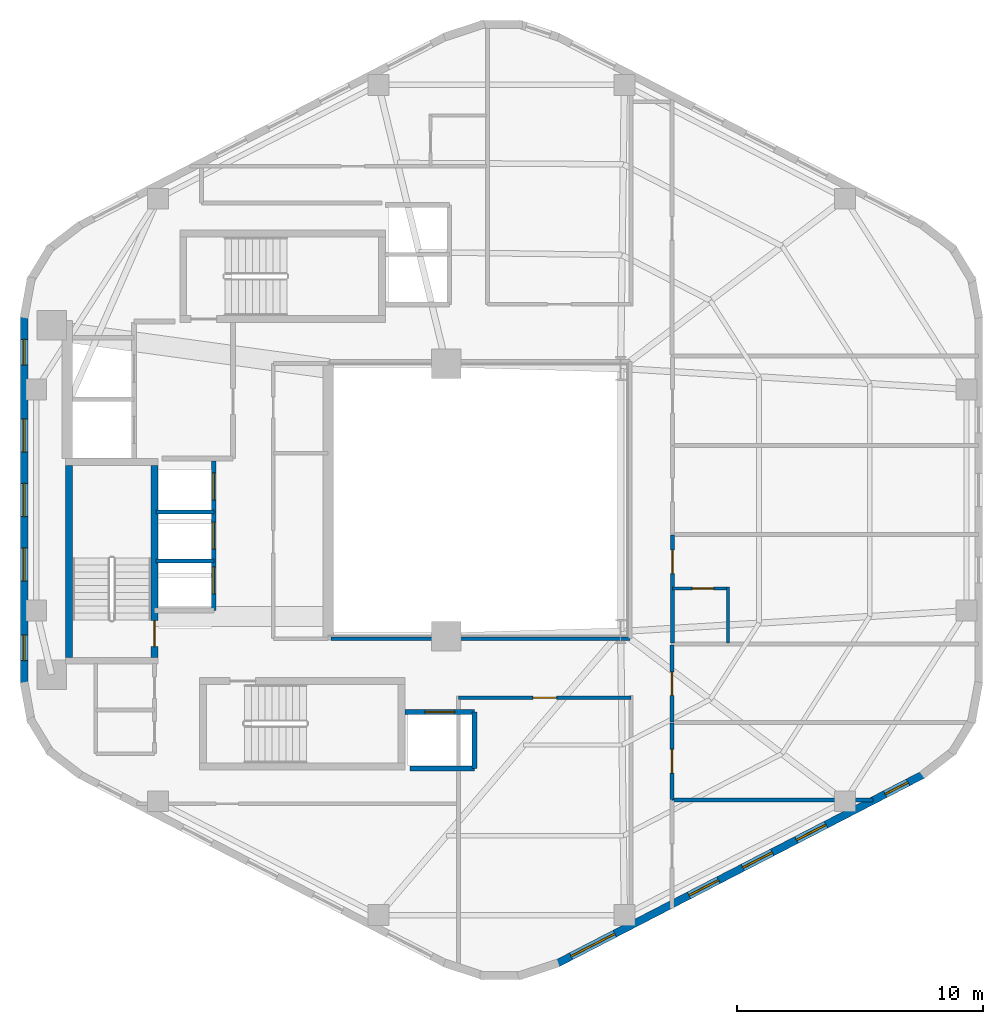
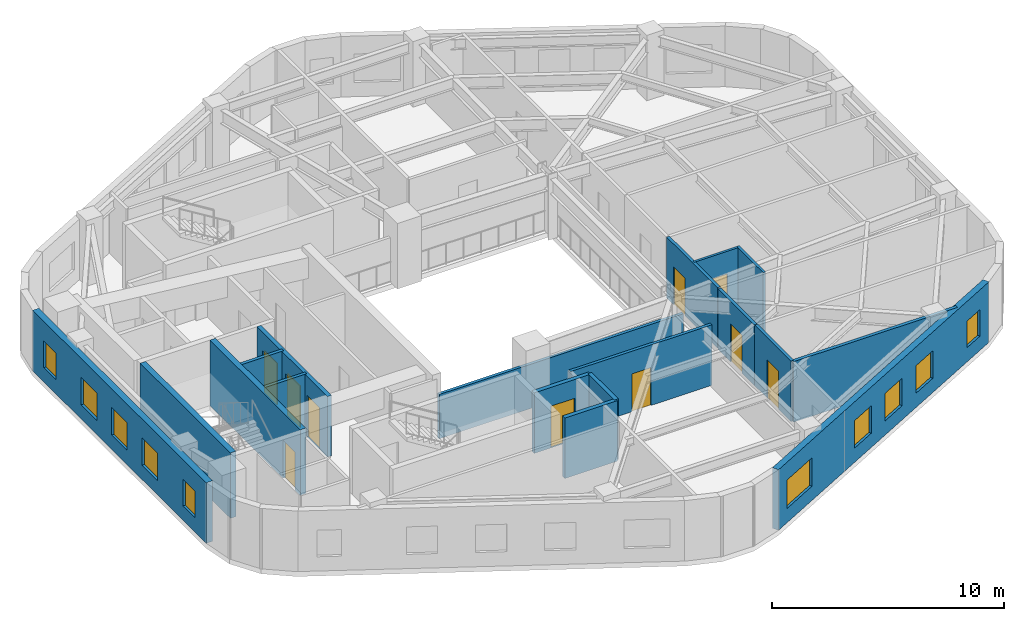
# One storey, part 3 of 7: 18 walls, 10 doors, 10 windows, 20 openings.
"""IFC4 building model written with IfcOpenShell, lengths in metres."""

from ifc_helpers import new_model, si_unit, direction, frame, frame_2d, origin, place, context, subcontext, project, spatial, rectangle, extrude, material, layer, layer_set, type_object, element, fill, save


model = new_model("IFC4")

# Units and contexts
model_context = context("Model", 3, precision=1e-05, world=origin(), true_north=direction((0.0, 1.0)))
body_context = subcontext(model_context, "Body", "Model", "MODEL_VIEW")
ifc_project = project(units=[si_unit("LENGTHUNIT", "METRE"), si_unit("AREAUNIT", "SQUARE_METRE"), si_unit("VOLUMEUNIT", "CUBIC_METRE"), si_unit("PLANEANGLEUNIT", "RADIAN"), si_unit("MASSUNIT", "GRAM", prefix="KILO"), si_unit("THERMODYNAMICTEMPERATUREUNIT", "KELVIN"), si_unit("POWERUNIT", "WATT")], contexts=[model_context])

# Site, building, storey
site_placement = place(None, origin())
site = spatial("IfcSite", under=ifc_project, at=site_placement, CompositionType="ELEMENT")
building_placement = place(site_placement, origin())
building = spatial("IfcBuilding", under=site, at=building_placement, Name="Skarre Station Tower", CompositionType="ELEMENT")
storey_placement = place(building_placement, frame((0.0, 0.0, 196.449951171875)))
storey = spatial("IfcBuildingStorey", under=building, at=storey_placement, Name="L53", CompositionType="ELEMENT", Elevation=196.449951171875)

# Wall
ifc_material_1 = material(Name="Acoustic Steel-Stud Gypsum Partition", Category="steel")
ifc_layer_1 = layer(ifc_material_1, 0.14990234375, Name="Acoustic Steel-Stud Gypsum Partition")
ifc_layer_set_1 = layer_set([ifc_layer_1], Name="Acoustic Steel-Stud Gypsum Partition")
wall_type_1 = type_object("IfcWallType", Name="Fire-Rated Corridor Acoustic Partition 150", PredefinedType="PARTITIONING", material=ifc_layer_set_1)
wall_1_placement = place(storey_placement, frame((27.675048828125, 18.360107421875, 0.0), z_axis=(0.0, 0.0, 1.0), x_axis=(1.0, 0.0, 0.0)))
element("IfcWall", 1, at=wall_1_placement, inside=storey, type_object=wall_type_1, Name="L53 Interior Partition WL-PT-L53-ATRW-S", PredefinedType="PARTITIONING", context=body_context, shape_type="SweptSolid", body=[
    extrude(rectangle(XDim=12.1650390625, YDim=0.14990234375, at=frame_2d((6.08251953125, 0.0))), origin(), (0.0, 0.0, 1.0), 2.3310546875),
])

# Wall, opening, door
wall_2_placement = place(storey_placement, frame((41.56005859375, 18.179931640625, 0.0), z_axis=(0.0, 0.0, 1.0), x_axis=(0.0, 1.0, 0.0)))
wall_2 = element("IfcWall", 2, at=wall_2_placement, inside=storey, type_object=wall_type_1, Name="L53 Interior Partition WL-PT-L53-EW1-CW", PredefinedType="PARTITIONING", context=body_context, shape_type="SweptSolid", body=[
    extrude(rectangle(XDim=4.405029296875, YDim=0.14990234375, at=frame_2d((2.20263671875, 0.0))), origin(), (0.0, 0.0, 1.0), 3.18994140625),
])
opening_1_placement = place(wall_2_placement, frame((2.822998046875, 0.0, 0.0)))
opening_1 = element("IfcOpeningElement", 3, at=opening_1_placement, cuts=wall_2, Name="Opening DR-FD60", PredefinedType="OPENING", context=body_context, shape_type="SweptSolid", body=[
    extrude(rectangle(XDim=0.9599609375, YDim=2.0, at=frame_2d((0.47998046875, 1.0))), frame((0.0, 0.0849609375, 0.0), z_axis=(0.0, -1.0, 0.0), x_axis=(1.0, 0.0, 0.0)), (0.0, 0.0, 1.0), 0.169921875),
])
ifc_material_2 = material(Name="Nordic White-Oak Veneer Solid-Core Fire Leaf", Category="wood")
door_type_1 = type_object("IfcDoorType", Name="Corridor Suite Entry Fire Door FD60 960x2150", OperationType="SINGLE_SWING_LEFT", PredefinedType="DOOR", material=ifc_material_2)
door_1_placement = place(opening_1_placement, origin())
door_1 = element("IfcDoor", 4, at=door_1_placement, inside=storey, type_object=door_type_1, Name="L53 EW1 Entry Door", OperationType="SINGLE_SWING_LEFT", OverallHeight=2.0, OverallWidth=0.9599609375, PredefinedType="DOOR", context=body_context, shape_type="SweptSolid", body=[
    extrude(rectangle(XDim=0.9599609375, YDim=2.0, at=frame_2d((0.47998046875, 1.0))), frame((0.0, 0.02490234375, 0.0), z_axis=(0.0, -1.0, 0.0), x_axis=(1.0, 0.0, 0.0)), (0.0, 0.0, 1.0), 0.050048828125),
])
fill(opening_1, door_1)

wall_3_placement = place(storey_placement, frame((32.85009765625, 15.9599609375, 0.0), z_axis=(0.0, 0.0, 1.0), x_axis=(1.0, 0.0, 0.0)))
wall_3 = element("IfcWall", 5, at=wall_3_placement, inside=storey, type_object=wall_type_1, Name="L53 Interior Partition WL-PT-L53-SWC1-CW", PredefinedType="PARTITIONING", context=body_context, shape_type="SweptSolid", body=[
    extrude(rectangle(XDim=7.02978515625, YDim=0.14990234375, at=frame_2d((3.514892578125, 0.0))), origin(), (0.0, 0.0, 1.0), 3.18994140625),
])
opening_2_placement = place(wall_3_placement, frame((3.034912109375, 0.0, 0.0)))
opening_2 = element("IfcOpeningElement", 6, at=opening_2_placement, cuts=wall_3, Name="Opening DR-FD60", PredefinedType="OPENING", context=body_context, shape_type="SweptSolid", body=[
    extrude(rectangle(XDim=0.9599609375, YDim=2.0, at=frame_2d((0.47998046875, 1.0))), frame((0.0, 0.0849609375, 0.0), z_axis=(0.0, -1.0, 0.0), x_axis=(1.0, 0.0, 0.0)), (0.0, 0.0, 1.0), 0.169921875),
])
door_2_placement = place(opening_2_placement, origin())
door_2 = element("IfcDoor", 7, at=door_2_placement, inside=storey, type_object=door_type_1, Name="L53 SWC1 Entry Door", OperationType="SINGLE_SWING_LEFT", OverallHeight=2.0, OverallWidth=0.9599609375, PredefinedType="DOOR", context=body_context, shape_type="SweptSolid", body=[
    extrude(rectangle(XDim=0.9599609375, YDim=2.0, at=frame_2d((0.47998046875, 1.0))), frame((0.0, 0.02490234375, 0.0), z_axis=(0.0, -1.0, 0.0), x_axis=(1.0, 0.0, 0.0)), (0.0, 0.0, 1.0), 0.050048828125),
])
fill(opening_2, door_2)

wall_4_placement = place(storey_placement, frame((41.5400390625, 11.81201171875, 0.0), z_axis=(0.0, 0.0, 1.0), x_axis=(0.0, 1.0, 0.0)))
wall_4 = element("IfcWall", 8, at=wall_4_placement, inside=storey, type_object=wall_type_1, Name="L53 Interior Partition WL-PT-L53-SW2-CW", PredefinedType="PARTITIONING", context=body_context, shape_type="SweptSolid", body=[
    extrude(rectangle(XDim=3.119873046875, YDim=0.14990234375, at=frame_2d((1.56005859375, 0.0))), origin(), (0.0, 0.0, 1.0), 3.18994140625),
])
opening_3_placement = place(wall_4_placement, frame((1.080078125, 0.0, 0.0)))
opening_3 = element("IfcOpeningElement", 9, at=opening_3_placement, cuts=wall_4, Name="Opening DR-FD60", PredefinedType="OPENING", context=body_context, shape_type="SweptSolid", body=[
    extrude(rectangle(XDim=0.9599609375, YDim=2.0, at=frame_2d((0.47998046875, 1.0))), frame((0.0, 0.0849609375, 0.0), z_axis=(0.0, -1.0, 0.0), x_axis=(1.0, 0.0, 0.0)), (0.0, 0.0, 1.0), 0.169921875),
])
door_3_placement = place(opening_3_placement, origin())
door_3 = element("IfcDoor", 10, at=door_3_placement, inside=storey, type_object=door_type_1, Name="L53 SW2 Entry Door", OperationType="SINGLE_SWING_LEFT", OverallHeight=2.0, OverallWidth=0.9599609375, PredefinedType="DOOR", context=body_context, shape_type="SweptSolid", body=[
    extrude(rectangle(XDim=0.9599609375, YDim=2.0, at=frame_2d((0.47998046875, 1.0))), frame((0.0, 0.02490234375, 0.0), z_axis=(0.0, -1.0, 0.0), x_axis=(1.0, 0.0, 0.0)), (0.0, 0.0, 1.0), 0.050048828125),
])
fill(opening_3, door_3)

wall_5_placement = place(storey_placement, frame((41.5400390625, 14.964111328125, 0.0), z_axis=(0.0, 0.0, 1.0), x_axis=(0.0, 1.0, 0.0)))
wall_5 = element("IfcWall", 11, at=wall_5_placement, inside=storey, type_object=wall_type_1, Name="L53 Interior Partition WL-PT-L53-SW3-CW", PredefinedType="PARTITIONING", context=body_context, shape_type="SweptSolid", body=[
    extrude(rectangle(XDim=3.135986328125, YDim=0.14990234375, at=frame_2d((1.56787109375, 0.0))), origin(), (0.0, 0.0, 1.0), 3.18994140625),
])
opening_4_placement = place(wall_5_placement, frame((1.087890625, 0.0, 0.0)))
opening_4 = element("IfcOpeningElement", 12, at=opening_4_placement, cuts=wall_5, Name="Opening DR-FD60", PredefinedType="OPENING", context=body_context, shape_type="SweptSolid", body=[
    extrude(rectangle(XDim=0.9599609375, YDim=2.0, at=frame_2d((0.47998046875, 1.0))), frame((0.0, 0.0849609375, 0.0), z_axis=(0.0, -1.0, 0.0), x_axis=(1.0, 0.0, 0.0)), (0.0, 0.0, 1.0), 0.169921875),
])
door_4_placement = place(opening_4_placement, origin())
door_4 = element("IfcDoor", 13, at=door_4_placement, inside=storey, type_object=door_type_1, Name="L53 SW3 Entry Door", OperationType="SINGLE_SWING_LEFT", OverallHeight=2.0, OverallWidth=0.9599609375, PredefinedType="DOOR", context=body_context, shape_type="SweptSolid", body=[
    extrude(rectangle(XDim=0.9599609375, YDim=2.0, at=frame_2d((0.47998046875, 1.0))), frame((0.0, 0.02490234375, 0.0), z_axis=(0.0, -1.0, 0.0), x_axis=(1.0, 0.0, 0.0)), (0.0, 0.0, 1.0), 0.050048828125),
])
fill(opening_4, door_4)

# Wall
ifc_material_3 = material(Name="Insulated Timber-Stud Gypsum Partition", Category="wood")
ifc_layer_2 = layer(ifc_material_3, 0.1201171875, Name="Insulated Timber-Stud Gypsum Partition")
ifc_layer_set_2 = layer_set([ifc_layer_2], Name="Insulated Timber-Stud Gypsum Partition")
wall_type_2 = type_object("IfcWallType", Name="Internal Suite Acoustic Partition 120", PredefinedType="PARTITIONING", material=ifc_layer_set_2)
wall_6_placement = place(storey_placement, frame((43.820068359375, 18.179931640625, 0.0), z_axis=(0.0, 0.0, 1.0), x_axis=(0.0, 1.0, 0.0)))
element("IfcWall", 14, at=wall_6_placement, inside=storey, type_object=wall_type_2, Name="L53 Interior Partition WL-PT-L53-EW1-EW2", PredefinedType="PARTITIONING", context=body_context, shape_type="SweptSolid", body=[
    extrude(rectangle(XDim=2.280029296875, YDim=0.1201171875, at=frame_2d((1.14013671875, 0.0))), origin(), (0.0, 0.0, 1.0), 3.18994140625),
])

# Wall, opening, door
wall_7_placement = place(storey_placement, frame((43.8798828125, 20.39990234375, 0.0), z_axis=(0.0, 0.0, 1.0), x_axis=(-1.0, 0.0, 0.0)))
wall_7 = element("IfcWall", 15, at=wall_7_placement, inside=storey, type_object=wall_type_2, Name="L53 Interior Partition WL-PT-L53-EW1-EW3", PredefinedType="PARTITIONING", context=body_context, shape_type="SweptSolid", body=[
    extrude(rectangle(XDim=2.31982421875, YDim=0.1201171875, at=frame_2d((1.159912109375, 0.0))), origin(), (0.0, 0.0, 1.0), 3.18994140625),
])
opening_5_placement = place(wall_7_placement, frame((0.64990234375, 0.0, 0.0)))
opening_5 = element("IfcOpeningElement", 16, at=opening_5_placement, cuts=wall_7, Name="Opening DR-INT86", PredefinedType="OPENING", context=body_context, shape_type="SweptSolid", body=[
    extrude(rectangle(XDim=0.860107421875, YDim=2.0, at=frame_2d((0.43017578125, 1.0))), frame((0.0, 0.070068359375, 0.0), z_axis=(0.0, -1.0, 0.0), x_axis=(1.0, 0.0, 0.0)), (0.0, 0.0, 1.0), 0.14013671875),
])
ifc_material_4 = material(Name="Nordic Birch Acoustic Solid-Core Timber Leaf", Category="wood")
door_type_2 = type_object("IfcDoorType", Name="Internal En-Suite & Bedroom Door 860x2100", OperationType="SINGLE_SWING_LEFT", PredefinedType="DOOR", material=ifc_material_4)
door_5_placement = place(opening_5_placement, origin())
door_5 = element("IfcDoor", 17, at=door_5_placement, inside=storey, type_object=door_type_2, Name="L53 EW1 En-suite Door", OperationType="SINGLE_SWING_RIGHT", OverallHeight=2.0, OverallWidth=0.860107421875, PredefinedType="DOOR", context=body_context, shape_type="SweptSolid", body=[
    extrude(rectangle(XDim=0.860107421875, YDim=2.0, at=frame_2d((0.43017578125, 1.0))), frame((0.0, 0.02490234375, 0.0), z_axis=(0.0, -1.0, 0.0), x_axis=(1.0, 0.0, 0.0)), (0.0, 0.0, 1.0), 0.050048828125),
])
fill(opening_5, door_5)

# Wall, openings, windows
ifc_material_5 = material(Name="Precast concrete C45/55", Category="concrete")
ifc_layer_3 = layer(ifc_material_5, 0.31005859375, Name="Precast concrete C45/55")
ifc_layer_set_3 = layer_set([ifc_layer_3], Name="Precast concrete C45/55")
wall_type_3 = type_object("IfcWallType", Name="Nordic Upper-Zone Precast Facet Wall 310", PredefinedType="STANDARD", material=ifc_layer_set_3)
wall_8_placement = place(storey_placement, frame((15.18310546875, 16.498046875, 0.0), z_axis=(0.0, 0.0, 1.0), x_axis=(0.0, 1.0, 0.0)))
wall_8 = element("IfcWall", 18, at=wall_8_placement, inside=storey, type_object=wall_type_3, Name="L53 Facet 2 Nordic Precast Masonry Wall", PredefinedType="STANDARD", context=body_context, shape_type="SweptSolid", body=[
    extrude(rectangle(XDim=15.00390625, YDim=0.31005859375, at=frame_2d((7.501953125, 0.0))), origin(), (0.0, 0.0, 1.0), 3.18994140625),
])
opening_6_placement = place(wall_8_placement, frame((0.968017578125, 0.0, 0.75)))
opening_6 = element("IfcOpeningElement", 19, at=opening_6_placement, cuts=wall_8, Name="Opening WN-SLT", PredefinedType="OPENING", context=body_context, shape_type="SweptSolid", body=[
    extrude(rectangle(XDim=1.050048828125, YDim=1.39990234375, at=frame_2d((0.52490234375, 0.699951171875))), frame((0.0, 0.1650390625, 0.0), z_axis=(0.0, -1.0, 0.0), x_axis=(1.0, 0.0, 0.0)), (0.0, 0.0, 1.0), 0.330078125),
])
opening_7_placement = place(wall_8_placement, frame((4.202880859375, 0.0, 0.75)))
opening_7 = element("IfcOpeningElement", 20, at=opening_7_placement, cuts=wall_8, Name="Opening WN-Z3B", PredefinedType="OPENING", context=body_context, shape_type="SweptSolid", body=[
    extrude(rectangle(XDim=1.35009765625, YDim=1.449951171875, at=frame_2d((0.675048828125, 0.72509765625))), frame((0.0, 0.1650390625, 0.0), z_axis=(0.0, -1.0, 0.0), x_axis=(1.0, 0.0, 0.0)), (0.0, 0.0, 1.0), 0.330078125),
])
opening_8_placement = place(wall_8_placement, frame((6.826904296875, 0.0, 0.75)))
opening_8 = element("IfcOpeningElement", 21, at=opening_8_placement, cuts=wall_8, Name="Opening WN-Z3B", PredefinedType="OPENING", context=body_context, shape_type="SweptSolid", body=[
    extrude(rectangle(XDim=1.35009765625, YDim=1.449951171875, at=frame_2d((0.675048828125, 0.72509765625))), frame((0.0, 0.1650390625, 0.0), z_axis=(0.0, -1.0, 0.0), x_axis=(1.0, 0.0, 0.0)), (0.0, 0.0, 1.0), 0.330078125),
])
opening_9_placement = place(wall_8_placement, frame((9.450927734375, 0.0, 0.75)))
opening_9 = element("IfcOpeningElement", 22, at=opening_9_placement, cuts=wall_8, Name="Opening WN-Z3B", PredefinedType="OPENING", context=body_context, shape_type="SweptSolid", body=[
    extrude(rectangle(XDim=1.35009765625, YDim=1.449951171875, at=frame_2d((0.675048828125, 0.72509765625))), frame((0.0, 0.1650390625, 0.0), z_axis=(0.0, -1.0, 0.0), x_axis=(1.0, 0.0, 0.0)), (0.0, 0.0, 1.0), 0.330078125),
])
opening_10_placement = place(wall_8_placement, frame((12.986083984375, 0.0, 0.75)))
opening_10 = element("IfcOpeningElement", 23, at=opening_10_placement, cuts=wall_8, Name="Opening WN-SLT", PredefinedType="OPENING", context=body_context, shape_type="SweptSolid", body=[
    extrude(rectangle(XDim=1.050048828125, YDim=1.39990234375, at=frame_2d((0.52490234375, 0.699951171875))), frame((0.0, 0.1650390625, 0.0), z_axis=(0.0, -1.0, 0.0), x_axis=(1.0, 0.0, 0.0)), (0.0, 0.0, 1.0), 0.330078125),
])
ifc_material_6 = material(Name="Low-Iron Triple Glazing with Bronze Anodized Frame", Category="glass")
window_type_1 = type_object("IfcWindowType", Name="Nordic Corner Slot Window 1050x1400", PartitioningType="SINGLE_PANEL", PredefinedType="WINDOW", material=ifc_material_6)
window_1_placement = place(opening_6_placement, origin())
window_1 = element("IfcWindow", 24, at=window_1_placement, inside=storey, type_object=window_type_1, Name="L53 Facade Window WL-FAC-L53-F2-1", OverallHeight=1.39990234375, OverallWidth=1.050048828125, PartitioningType="SINGLE_PANEL", PredefinedType="WINDOW", context=body_context, shape_type="SweptSolid", body=[
    extrude(rectangle(XDim=1.050048828125, YDim=1.39990234375, at=frame_2d((0.52490234375, 0.699951171875))), frame((0.0, 0.030029296875, 0.0), z_axis=(0.0, -1.0, 0.0), x_axis=(1.0, 0.0, 0.0)), (0.0, 0.0, 1.0), 0.06005859375),
])
fill(opening_6, window_1)
window_2_placement = place(opening_10_placement, origin())
window_2 = element("IfcWindow", 25, at=window_2_placement, inside=storey, type_object=window_type_1, Name="L53 Facade Window WL-FAC-L53-F2-5", OverallHeight=1.39990234375, OverallWidth=1.050048828125, PartitioningType="SINGLE_PANEL", PredefinedType="WINDOW", context=body_context, shape_type="SweptSolid", body=[
    extrude(rectangle(XDim=1.050048828125, YDim=1.39990234375, at=frame_2d((0.52490234375, 0.699951171875))), frame((0.0, 0.030029296875, 0.0), z_axis=(0.0, -1.0, 0.0), x_axis=(1.0, 0.0, 0.0)), (0.0, 0.0, 1.0), 0.06005859375),
])
fill(opening_10, window_2)
window_type_2 = type_object("IfcWindowType", Name="Nordic Hospitality Narrow Window 1350x1450", PartitioningType="SINGLE_PANEL", PredefinedType="WINDOW", material=ifc_material_6)
window_3_placement = place(opening_7_placement, origin())
window_3 = element("IfcWindow", 26, at=window_3_placement, inside=storey, type_object=window_type_2, Name="L53 Facade Window WL-FAC-L53-F2-2", OverallHeight=1.449951171875, OverallWidth=1.35009765625, PartitioningType="SINGLE_PANEL", PredefinedType="WINDOW", context=body_context, shape_type="SweptSolid", body=[
    extrude(rectangle(XDim=1.35009765625, YDim=1.449951171875, at=frame_2d((0.675048828125, 0.72509765625))), frame((0.0, 0.030029296875, 0.0), z_axis=(0.0, -1.0, 0.0), x_axis=(1.0, 0.0, 0.0)), (0.0, 0.0, 1.0), 0.06005859375),
])
fill(opening_7, window_3)
window_4_placement = place(opening_8_placement, origin())
window_4 = element("IfcWindow", 27, at=window_4_placement, inside=storey, type_object=window_type_2, Name="L53 Facade Window WL-FAC-L53-F2-3", OverallHeight=1.449951171875, OverallWidth=1.35009765625, PartitioningType="SINGLE_PANEL", PredefinedType="WINDOW", context=body_context, shape_type="SweptSolid", body=[
    extrude(rectangle(XDim=1.35009765625, YDim=1.449951171875, at=frame_2d((0.675048828125, 0.72509765625))), frame((0.0, 0.030029296875, 0.0), z_axis=(0.0, -1.0, 0.0), x_axis=(1.0, 0.0, 0.0)), (0.0, 0.0, 1.0), 0.06005859375),
])
fill(opening_8, window_4)
window_5_placement = place(opening_9_placement, origin())
window_5 = element("IfcWindow", 28, at=window_5_placement, inside=storey, type_object=window_type_2, Name="L53 Facade Window WL-FAC-L53-F2-4", OverallHeight=1.449951171875, OverallWidth=1.35009765625, PartitioningType="SINGLE_PANEL", PredefinedType="WINDOW", context=body_context, shape_type="SweptSolid", body=[
    extrude(rectangle(XDim=1.35009765625, YDim=1.449951171875, at=frame_2d((0.675048828125, 0.72509765625))), frame((0.0, 0.030029296875, 0.0), z_axis=(0.0, -1.0, 0.0), x_axis=(1.0, 0.0, 0.0)), (0.0, 0.0, 1.0), 0.06005859375),
])
fill(opening_9, window_5)

wall_9_placement = place(storey_placement, frame((51.7919921875, 12.846923828125, 0.0), z_axis=(0.0, 0.0, 1.0), x_axis=(-0.888626188278, -0.458632202867, 0.0)))
wall_9 = element("IfcWall", 29, at=wall_9_placement, inside=storey, type_object=wall_type_3, Name="L53 Facet 4 Nordic Precast Masonry Wall", PredefinedType="STANDARD", context=body_context, shape_type="SweptSolid", body=[
    extrude(rectangle(XDim=16.828369140625, YDim=0.31005859375, at=frame_2d((8.4140625, 0.0))), origin(), (0.0, 0.0, 1.0), 3.18994140625),
])
opening_11_placement = place(wall_9_placement, frame((0.72900390625, 0.0, 0.75)))
opening_11 = element("IfcOpeningElement", 30, at=opening_11_placement, cuts=wall_9, Name="Opening WN-SLT", PredefinedType="OPENING", context=body_context, shape_type="SweptSolid", body=[
    extrude(rectangle(XDim=1.050048828125, YDim=1.39990234375, at=frame_2d((0.52490234375, 0.699951171875))), frame((0.0, 0.1650390625, 0.0), z_axis=(0.0, -1.0, 0.0), x_axis=(1.0, 0.0, 0.0)), (0.0, 0.0, 1.0), 0.330078125),
])
opening_12_placement = place(wall_9_placement, frame((4.486083984375, 0.0, 0.75)))
opening_12 = element("IfcOpeningElement", 31, at=opening_12_placement, cuts=wall_9, Name="Opening WN-Z3B", PredefinedType="OPENING", context=body_context, shape_type="SweptSolid", body=[
    extrude(rectangle(XDim=1.35009765625, YDim=1.449951171875, at=frame_2d((0.675048828125, 0.72509765625))), frame((0.0, 0.1650390625, 0.0), z_axis=(0.0, -1.0, 0.0), x_axis=(1.0, 0.0, 0.0)), (0.0, 0.0, 1.0), 0.330078125),
])
opening_13_placement = place(wall_9_placement, frame((6.946044921875, 0.0, 0.75)))
opening_13 = element("IfcOpeningElement", 32, at=opening_13_placement, cuts=wall_9, Name="Opening WN-Z3B", PredefinedType="OPENING", context=body_context, shape_type="SweptSolid", body=[
    extrude(rectangle(XDim=1.35009765625, YDim=1.449951171875, at=frame_2d((0.675048828125, 0.72509765625))), frame((0.0, 0.1650390625, 0.0), z_axis=(0.0, -1.0, 0.0), x_axis=(1.0, 0.0, 0.0)), (0.0, 0.0, 1.0), 0.330078125),
])
opening_14_placement = place(wall_9_placement, frame((9.406005859375, 0.0, 0.75)))
opening_14 = element("IfcOpeningElement", 33, at=opening_14_placement, cuts=wall_9, Name="Opening WN-Z3B", PredefinedType="OPENING", context=body_context, shape_type="SweptSolid", body=[
    extrude(rectangle(XDim=1.35009765625, YDim=1.449951171875, at=frame_2d((0.675048828125, 0.72509765625))), frame((0.0, 0.1650390625, 0.0), z_axis=(0.0, -1.0, 0.0), x_axis=(1.0, 0.0, 0.0)), (0.0, 0.0, 1.0), 0.330078125),
])
opening_15_placement = place(wall_9_placement, frame((14.153076171875, 0.0, 0.75)))
opening_15 = element("IfcOpeningElement", 34, at=opening_15_placement, cuts=wall_9, Name="Opening WN-Z3A", PredefinedType="OPENING", context=body_context, shape_type="SweptSolid", body=[
    extrude(rectangle(XDim=2.0, YDim=1.5, at=frame_2d((1.0, 0.75))), frame((0.0, 0.1650390625, 0.0), z_axis=(0.0, -1.0, 0.0), x_axis=(1.0, 0.0, 0.0)), (0.0, 0.0, 1.0), 0.330078125),
])
window_6_placement = place(opening_11_placement, origin())
window_6 = element("IfcWindow", 35, at=window_6_placement, inside=storey, type_object=window_type_1, Name="L53 Facade Window WL-FAC-L53-F4-1", OverallHeight=1.39990234375, OverallWidth=1.050048828125, PartitioningType="SINGLE_PANEL", PredefinedType="WINDOW", context=body_context, shape_type="SweptSolid", body=[
    extrude(rectangle(XDim=1.050048828125, YDim=1.39990234375, at=frame_2d((0.52490234375, 0.699951171875))), frame((0.0, 0.030029296875, 0.0), z_axis=(0.0, -1.0, 0.0), x_axis=(1.0, 0.0, 0.0)), (0.0, 0.0, 1.0), 0.06005859375),
])
fill(opening_11, window_6)
window_7_placement = place(opening_12_placement, origin())
window_7 = element("IfcWindow", 36, at=window_7_placement, inside=storey, type_object=window_type_2, Name="L53 Facade Window WL-FAC-L53-F4-2", OverallHeight=1.449951171875, OverallWidth=1.35009765625, PartitioningType="SINGLE_PANEL", PredefinedType="WINDOW", context=body_context, shape_type="SweptSolid", body=[
    extrude(rectangle(XDim=1.35009765625, YDim=1.449951171875, at=frame_2d((0.675048828125, 0.72509765625))), frame((0.0, 0.030029296875, 0.0), z_axis=(0.0, -1.0, 0.0), x_axis=(1.0, 0.0, 0.0)), (0.0, 0.0, 1.0), 0.06005859375),
])
fill(opening_12, window_7)
window_8_placement = place(opening_13_placement, origin())
window_8 = element("IfcWindow", 37, at=window_8_placement, inside=storey, type_object=window_type_2, Name="L53 Facade Window WL-FAC-L53-F4-3", OverallHeight=1.449951171875, OverallWidth=1.35009765625, PartitioningType="SINGLE_PANEL", PredefinedType="WINDOW", context=body_context, shape_type="SweptSolid", body=[
    extrude(rectangle(XDim=1.35009765625, YDim=1.449951171875, at=frame_2d((0.675048828125, 0.72509765625))), frame((0.0, 0.030029296875, 0.0), z_axis=(0.0, -1.0, 0.0), x_axis=(1.0, 0.0, 0.0)), (0.0, 0.0, 1.0), 0.06005859375),
])
fill(opening_13, window_8)
window_9_placement = place(opening_14_placement, origin())
window_9 = element("IfcWindow", 38, at=window_9_placement, inside=storey, type_object=window_type_2, Name="L53 Facade Window WL-FAC-L53-F4-4", OverallHeight=1.449951171875, OverallWidth=1.35009765625, PartitioningType="SINGLE_PANEL", PredefinedType="WINDOW", context=body_context, shape_type="SweptSolid", body=[
    extrude(rectangle(XDim=1.35009765625, YDim=1.449951171875, at=frame_2d((0.675048828125, 0.72509765625))), frame((0.0, 0.030029296875, 0.0), z_axis=(0.0, -1.0, 0.0), x_axis=(1.0, 0.0, 0.0)), (0.0, 0.0, 1.0), 0.06005859375),
])
fill(opening_14, window_9)
window_type_3 = type_object("IfcWindowType", Name="Nordic Hospitality Window 2000x1500", PartitioningType="SINGLE_PANEL", PredefinedType="WINDOW", material=ifc_material_6)
window_10_placement = place(opening_15_placement, origin())
window_10 = element("IfcWindow", 39, at=window_10_placement, inside=storey, type_object=window_type_3, Name="L53 Facade Window WL-FAC-L53-F4-5", OverallHeight=1.5, OverallWidth=2.0, PartitioningType="SINGLE_PANEL", PredefinedType="WINDOW", context=body_context, shape_type="SweptSolid", body=[
    extrude(rectangle(XDim=2.0, YDim=1.5, at=frame_2d((1.0, 0.75))), frame((0.0, 0.030029296875, 0.0), z_axis=(0.0, -1.0, 0.0), x_axis=(1.0, 0.0, 0.0)), (0.0, 0.0, 1.0), 0.06005859375),
])
fill(opening_15, window_10)

# Wall
ifc_material_7 = material(Name="Concrete C50/60", Category="concrete")
ifc_layer_4 = layer(ifc_material_7, 0.280029296875, Name="Concrete C50/60")
ifc_layer_set_4 = layer_set([ifc_layer_4], Name="Concrete C50/60")
wall_type_4 = type_object("IfcWallType", Name="RC Core Shear Wall 280", PredefinedType="SHEAR", material=ifc_layer_set_4)
wall_10_placement = place(storey_placement, frame((17.010009765625, 25.39990234375, 0.0), z_axis=(0.0, 0.0, 1.0), x_axis=(0.0, -1.0, 0.0)))
element("IfcWall", 40, at=wall_10_placement, inside=storey, type_object=wall_type_4, Name="L53 Stair ST-1 West Shear Wall", PredefinedType="SHEAR", context=body_context, shape_type="SweptSolid", body=[
    extrude(rectangle(XDim=7.7998046875, YDim=0.280029296875, at=frame_2d((3.89990234375, 0.0))), origin(), (0.0, 0.0, 1.0), 3.449951171875),
])

# Wall, opening, door
wall_11_placement = place(storey_placement, frame((20.489990234375, 17.60009765625, 0.0), z_axis=(0.0, 0.0, 1.0), x_axis=(0.0, 1.0, 0.0)))
wall_11 = element("IfcWall", 41, at=wall_11_placement, inside=storey, type_object=wall_type_4, Name="L53 Stair ST-1 East Shear Wall", PredefinedType="SHEAR", context=body_context, shape_type="SweptSolid", body=[
    extrude(rectangle(XDim=7.7998046875, YDim=0.280029296875, at=frame_2d((3.89990234375, 0.0))), origin(), (0.0, 0.0, 1.0), 3.449951171875),
])
opening_16_placement = place(wall_11_placement, frame((0.43994140625, 0.0, 0.0)))
opening_16 = element("IfcOpeningElement", 42, at=opening_16_placement, cuts=wall_11, Name="Opening DR-FD90", PredefinedType="OPENING", context=body_context, shape_type="SweptSolid", body=[
    extrude(rectangle(XDim=1.050048828125, YDim=2.0, at=frame_2d((0.52490234375, 1.0))), frame((0.0, 0.14990234375, 0.0), z_axis=(0.0, -1.0, 0.0), x_axis=(1.0, 0.0, 0.0)), (0.0, 0.0, 1.0), 0.300048828125),
])
ifc_material_8 = material(Name="Fire-Rated Insulated Steel Frame & Timber Core Leaf", Category="steel")
door_type_3 = type_object("IfcDoorType", Name="Stair & FSAE Lobby Fire Door FD90 1050x2150", OperationType="SINGLE_SWING_RIGHT", PredefinedType="DOOR", material=ifc_material_8)
door_6_placement = place(opening_16_placement, origin())
door_6 = element("IfcDoor", 43, at=door_6_placement, inside=storey, type_object=door_type_3, Name="L53 Stair ST-1 Exit Door", OperationType="SINGLE_SWING_RIGHT", OverallHeight=2.0, OverallWidth=1.050048828125, PredefinedType="DOOR", context=body_context, shape_type="SweptSolid", body=[
    extrude(rectangle(XDim=1.050048828125, YDim=2.0, at=frame_2d((0.52490234375, 1.0))), frame((0.0, 0.02490234375, 0.0), z_axis=(0.0, -1.0, 0.0), x_axis=(1.0, 0.0, 0.0)), (0.0, 0.0, 1.0), 0.050048828125),
])
fill(opening_16, door_6)

ifc_material_9 = material(Name="Gypsum Concrete Shaft Assembly C30/37", Category="concrete")
ifc_layer_5 = layer(ifc_material_9, 0.199951171875, Name="Gypsum Concrete Shaft Assembly C30/37")
ifc_layer_set_5 = layer_set([ifc_layer_5], Name="Gypsum Concrete Shaft Assembly C30/37")
wall_type_5 = type_object("IfcWallType", Name="Shaft & Core Fire Partition 200", PredefinedType="PARTITIONING", material=ifc_layer_set_5)
wall_12_placement = place(storey_placement, frame((33.5, 15.3798828125, 0.0), z_axis=(0.0, 0.0, 1.0), x_axis=(-1.0, 0.0, 0.0)))
wall_12 = element("IfcWall", 44, at=wall_12_placement, inside=storey, type_object=wall_type_5, Name="L53 Interior Partition WL-PT-L53-SV1-N", PredefinedType="PARTITIONING", context=body_context, shape_type="SweptSolid", body=[
    extrude(rectangle(XDim=2.820068359375, YDim=0.199951171875, at=frame_2d((1.41015625, 0.0))), origin(), (0.0, 0.0, 1.0), 3.18994140625),
])
opening_17_placement = place(wall_12_placement, frame((0.800048828125, 0.0, 0.0)))
opening_17 = element("IfcOpeningElement", 45, at=opening_17_placement, cuts=wall_12, Name="Opening LD-SV1", PredefinedType="OPENING", context=body_context, shape_type="SweptSolid", body=[
    extrude(rectangle(XDim=1.199951171875, YDim=2.199951171875, at=frame_2d((0.60009765625, 1.10009765625))), frame((0.0, 0.10986328125, 0.0), z_axis=(0.0, -1.0, 0.0), x_axis=(1.0, 0.0, 0.0)), (0.0, 0.0, 1.0), 0.219970703125),
])
ifc_material_10 = material(Name="Heavy-Gauge Brushed Stainless Steel Sliding Leaves", Category="steel")
door_type_4 = type_object("IfcDoorType", Name="Service Elevator Wide Sliding Landing Door 1200x2200", OperationType="SLIDING_TO_RIGHT", PredefinedType="DOOR", material=ifc_material_10)
door_7_placement = place(opening_17_placement, origin())
door_7 = element("IfcDoor", 46, at=door_7_placement, inside=storey, type_object=door_type_4, Name="L53 Service Lift LF-SV1 Landing Door", OperationType="SLIDING_TO_RIGHT", OverallHeight=2.199951171875, OverallWidth=1.199951171875, PredefinedType="DOOR", context=body_context, shape_type="SweptSolid", body=[
    extrude(rectangle(XDim=1.199951171875, YDim=2.199951171875, at=frame_2d((0.60009765625, 1.10009765625))), frame((0.0, 0.02490234375, 0.0), z_axis=(0.0, -1.0, 0.0), x_axis=(1.0, 0.0, 0.0)), (0.0, 0.0, 1.0), 0.050048828125),
])
fill(opening_17, door_7)

# Walls
wall_13_placement = place(storey_placement, frame((33.5, 13.080078125, 0.0), z_axis=(0.0, 0.0, 1.0), x_axis=(0.0, 1.0, 0.0)))
element("IfcWall", 47, at=wall_13_placement, inside=storey, type_object=wall_type_5, Name="L53 Interior Partition WL-PT-L53-SV1-E", PredefinedType="PARTITIONING", context=body_context, shape_type="SweptSolid", body=[
    extrude(rectangle(XDim=2.2998046875, YDim=0.199951171875, at=frame_2d((1.14990234375, 0.0))), origin(), (0.0, 0.0, 1.0), 3.18994140625),
])
wall_14_placement = place(storey_placement, frame((30.87890625, 13.080078125, 0.0), z_axis=(0.0, 0.0, 1.0), x_axis=(1.0, 0.0, 0.0)))
element("IfcWall", 48, at=wall_14_placement, inside=storey, type_object=wall_type_5, Name="L53 Interior Partition WL-PT-L53-SV1-S", PredefinedType="PARTITIONING", context=body_context, shape_type="SweptSolid", body=[
    extrude(rectangle(XDim=2.62109375, YDim=0.199951171875, at=frame_2d((1.310546875, 0.0))), origin(), (0.0, 0.0, 1.0), 3.18994140625),
])

# Wall, openings, doors
wall_15_placement = place(storey_placement, frame((22.89990234375, 19.5, 0.0), z_axis=(0.0, 0.0, 1.0), x_axis=(0.0, 1.0, 0.0)))
wall_15 = element("IfcWall", 49, at=wall_15_placement, inside=storey, type_object=wall_type_5, Name="L53 Interior Partition WL-PT-L53-B3-E", PredefinedType="PARTITIONING", context=body_context, shape_type="SweptSolid", body=[
    extrude(rectangle(XDim=6.0849609375, YDim=0.199951171875, at=frame_2d((3.04248046875, 0.0))), origin(), (0.0, 0.0, 1.0), 3.18994140625),
])
opening_18_placement = place(wall_15_placement, frame((0.679931640625, 0.0, 0.0)))
opening_18 = element("IfcOpeningElement", 50, at=opening_18_placement, cuts=wall_15, Name="Opening LD-P7", PredefinedType="OPENING", context=body_context, shape_type="SweptSolid", body=[
    extrude(rectangle(XDim=1.10009765625, YDim=2.199951171875, at=frame_2d((0.550048828125, 1.10009765625))), frame((0.0, 0.10986328125, 0.0), z_axis=(0.0, -1.0, 0.0), x_axis=(1.0, 0.0, 0.0)), (0.0, 0.0, 1.0), 0.219970703125),
])
opening_19_placement = place(wall_15_placement, frame((2.5, 0.0, 0.0)))
opening_19 = element("IfcOpeningElement", 51, at=opening_19_placement, cuts=wall_15, Name="Opening LD-P8", PredefinedType="OPENING", context=body_context, shape_type="SweptSolid", body=[
    extrude(rectangle(XDim=1.10009765625, YDim=2.199951171875, at=frame_2d((0.550048828125, 1.10009765625))), frame((0.0, 0.10986328125, 0.0), z_axis=(0.0, -1.0, 0.0), x_axis=(1.0, 0.0, 0.0)), (0.0, 0.0, 1.0), 0.219970703125),
])
opening_20_placement = place(wall_15_placement, frame((4.5, 0.0, 0.0)))
opening_20 = element("IfcOpeningElement", 52, at=opening_20_placement, cuts=wall_15, Name="Opening LD-P9", PredefinedType="OPENING", context=body_context, shape_type="SweptSolid", body=[
    extrude(rectangle(XDim=1.10009765625, YDim=2.199951171875, at=frame_2d((0.550048828125, 1.10009765625))), frame((0.0, 0.10986328125, 0.0), z_axis=(0.0, -1.0, 0.0), x_axis=(1.0, 0.0, 0.0)), (0.0, 0.0, 1.0), 0.219970703125),
])
ifc_material_11 = material(Name="Brushed Bronze Stainless Steel Sliding Leaves", Category="steel")
door_type_5 = type_object("IfcDoorType", Name="Passenger Elevator Center-Parting Sliding Door 1100x2200", OperationType="SLIDING_TO_LEFT", PredefinedType="DOOR", material=ifc_material_11)
door_8_placement = place(opening_18_placement, origin())
door_8 = element("IfcDoor", 53, at=door_8_placement, inside=storey, type_object=door_type_5, Name="L53 Passenger Lift LF-P7 Landing Door", OperationType="SLIDING_TO_LEFT", OverallHeight=2.199951171875, OverallWidth=1.10009765625, PredefinedType="DOOR", context=body_context, shape_type="SweptSolid", body=[
    extrude(rectangle(XDim=1.10009765625, YDim=2.199951171875, at=frame_2d((0.550048828125, 1.10009765625))), frame((0.0, 0.02490234375, 0.0), z_axis=(0.0, -1.0, 0.0), x_axis=(1.0, 0.0, 0.0)), (0.0, 0.0, 1.0), 0.050048828125),
])
fill(opening_18, door_8)
door_9_placement = place(opening_19_placement, origin())
door_9 = element("IfcDoor", 54, at=door_9_placement, inside=storey, type_object=door_type_5, Name="L53 Passenger Lift LF-P8 Landing Door", OperationType="SLIDING_TO_LEFT", OverallHeight=2.199951171875, OverallWidth=1.10009765625, PredefinedType="DOOR", context=body_context, shape_type="SweptSolid", body=[
    extrude(rectangle(XDim=1.10009765625, YDim=2.199951171875, at=frame_2d((0.550048828125, 1.10009765625))), frame((0.0, 0.02490234375, 0.0), z_axis=(0.0, -1.0, 0.0), x_axis=(1.0, 0.0, 0.0)), (0.0, 0.0, 1.0), 0.050048828125),
])
fill(opening_19, door_9)
door_10_placement = place(opening_20_placement, origin())
door_10 = element("IfcDoor", 55, at=door_10_placement, inside=storey, type_object=door_type_5, Name="L53 Passenger Lift LF-P9 Landing Door", OperationType="SLIDING_TO_LEFT", OverallHeight=2.199951171875, OverallWidth=1.10009765625, PredefinedType="DOOR", context=body_context, shape_type="SweptSolid", body=[
    extrude(rectangle(XDim=1.10009765625, YDim=2.199951171875, at=frame_2d((0.550048828125, 1.10009765625))), frame((0.0, 0.02490234375, 0.0), z_axis=(0.0, -1.0, 0.0), x_axis=(1.0, 0.0, 0.0)), (0.0, 0.0, 1.0), 0.050048828125),
])
fill(opening_20, door_10)

# Walls
for number, where, z_axis, x_axis, name in (
    (56, (20.550048828125, 21.52001953125, 0.0), (0.0, 0.0, 1.0), (1.0, 0.0, 0.0), "L53 Interior Partition WL-PT-L53-B3-D1"),
    (57, (20.550048828125, 23.52001953125, 0.0), (0.0, 0.0, 1.0), (1.0, 0.0, 0.0), "L53 Interior Partition WL-PT-L53-B3-D2"),
):
    element("IfcWall", number, at=place(storey_placement, frame(where, z_axis=z_axis, x_axis=x_axis)), inside=storey, type_object=wall_type_5, Name=name, PredefinedType="PARTITIONING", context=body_context, shape_type="SweptSolid", body=[
        extrude(rectangle(XDim=2.349853515625, YDim=0.159912109375, at=frame_2d((1.1748046875, 0.0))), origin(), (0.0, 0.0, 1.0), 3.18994140625),
    ])
ifc_layer_6 = layer(ifc_material_1, 0.1650390625, Name="Acoustic Steel-Stud Gypsum Partition")
ifc_layer_set_6 = layer_set([ifc_layer_6], Name="Acoustic Steel-Stud Gypsum Partition")
wall_type_6 = type_object("IfcWallType", Name="Suite Demising Acoustic Partition 165", PredefinedType="PARTITIONING", material=ifc_layer_set_6)
wall_16_placement = place(storey_placement, frame((41.550048828125, 11.7958984375, 0.0), z_axis=(0.0, 0.0, 1.0), x_axis=(1.0, 0.0, 0.0)))
element("IfcWall", 58, at=wall_16_placement, inside=storey, type_object=wall_type_6, Name="L53 Interior Partition WL-PT-L53-SW-P1", PredefinedType="PARTITIONING", context=body_context, shape_type="SweptSolid", body=[
    extrude(rectangle(XDim=8.1728515625, YDim=0.1650390625, at=frame_2d((4.08642578125, 0.0))), origin(), (0.0, 0.0, 1.0), 3.18994140625),
])

save(model, "model.ifc")
